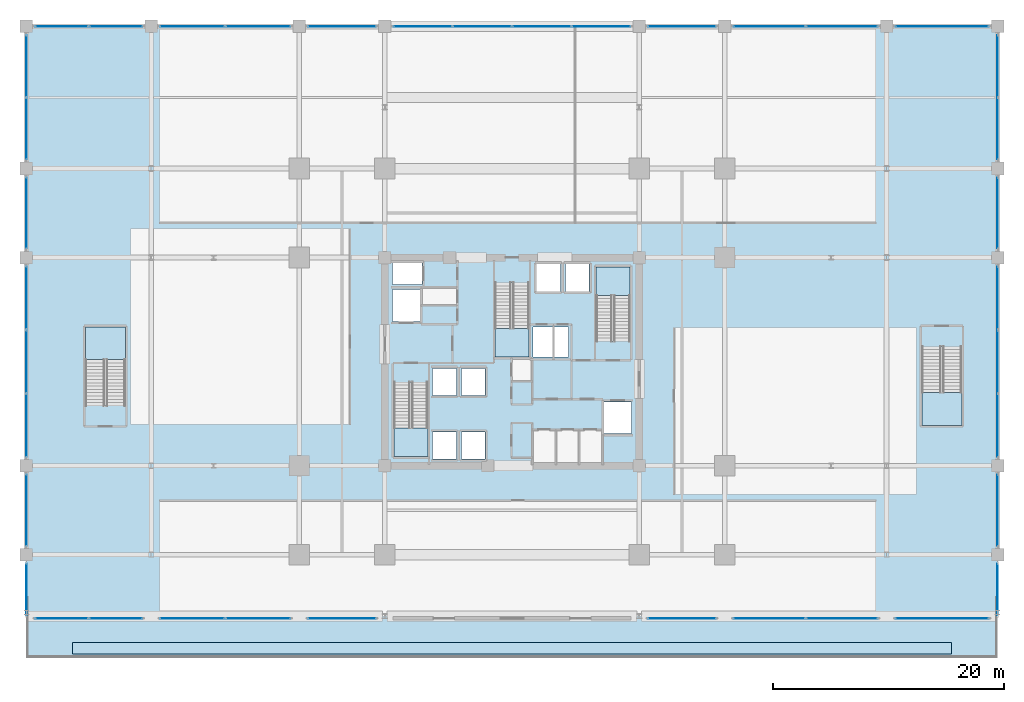
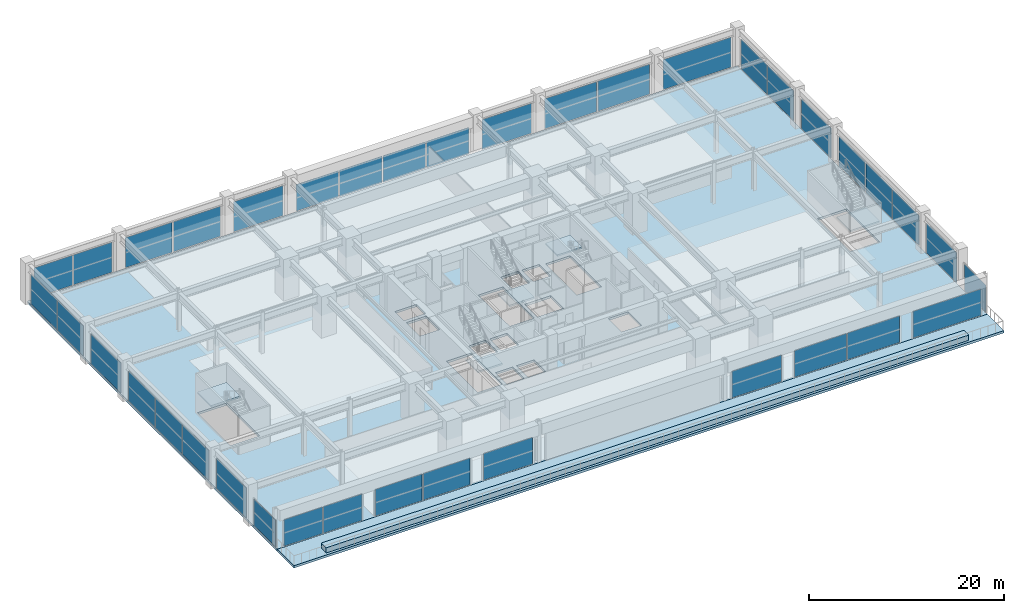
# One storey, part 34 of 43: 38 plates, 8 slabs, 28 elements without a shape of their own.
"""IFC4 building model written with IfcOpenShell, lengths in metres."""

from ifc_helpers import new_model, si_unit, direction, frame, origin, origin_2d, place, context, subcontext, project, spatial, polyline, rectangle, outline, extrude, material, layer, layer_set, type_object, element, aggregate, save


model = new_model("IFC4")

# Units and contexts
model_context = context("Model", 3, precision=1e-05, world=origin(), true_north=direction((0.0, 1.0)))
body_context = subcontext(model_context, "Body", "Model", "MODEL_VIEW")
ifc_project = project(units=[si_unit("LENGTHUNIT", "METRE"), si_unit("AREAUNIT", "SQUARE_METRE"), si_unit("VOLUMEUNIT", "CUBIC_METRE"), si_unit("PLANEANGLEUNIT", "RADIAN"), si_unit("MASSUNIT", "GRAM", prefix="KILO")], contexts=[model_context])

# Site, building, storey
site_placement = place(None, origin())
site = spatial("IfcSite", under=ifc_project, at=site_placement, CompositionType="ELEMENT")
building_placement = place(site_placement, origin())
building = spatial("IfcBuilding", under=site, at=building_placement, Name="Kovane Verandah Tower", CompositionType="ELEMENT")
storey_placement = place(building_placement, frame((0.0, 0.0, 11.199951171875)))
storey = spatial("IfcBuildingStorey", under=building, at=storey_placement, Name="L02", CompositionType="ELEMENT", Elevation=11.199951171875)

# Curtain wall, plates
ifc_material_1 = material(Name="Champagne Anodised Aluminium Frame with Low-E Clear Laminated Glass", Category="aluminium")
curtain_wall_type = type_object("IfcCurtainWallType", Name="CW-SYS-01-POD", PredefinedType="NOTDEFINED", material=ifc_material_1)
curtain_wall_1_placement = place(storey_placement, origin())
curtain_wall_1 = element("IfcCurtainWall", 1, at=curtain_wall_1_placement, inside=storey, type_object=curtain_wall_type, Name="L02 South Podium Curtain Wall Bay 1.1", PredefinedType="NOTDEFINED")
ifc_material_2 = material(Name="Clear Low-E Laminated Double Glazing", Category="glass")
ifc_layer_1 = layer(ifc_material_2, 0.031982421875)
ifc_layer_set_1 = layer_set([ifc_layer_1], Name="Clear Low-E Laminated Double Glazing")
plate_type = type_object("IfcPlateType", Name="PL-CW-VIS-32", PredefinedType="CURTAIN_PANEL", material=ifc_layer_set_1)
plate_1_placement = place(storey_placement, frame((1.06005859375, 5.300048828125, 0.10009765625), z_axis=(0.0, 0.0, 1.0), x_axis=(1.0, 0.0, 0.0)))
plate_1 = element("IfcPlate", 2, at=plate_1_placement, type_object=plate_type, Name="L02 South Podium Curtain Wall Bay 1.1 Full-Height Vision Panel 1", PredefinedType="CURTAIN_PANEL", context=body_context, shape_type="SweptSolid", body=[
    extrude(rectangle(XDim=4.5400390625, YDim=0.031982421875, at=origin_2d()), origin(), (0.0, 0.0, 1.0), 3.330078125),
])
plate_2_placement = place(storey_placement, frame((5.739990234375, 5.300048828125, 0.10009765625), z_axis=(0.0, 0.0, 1.0), x_axis=(1.0, 0.0, 0.0)))
plate_2 = element("IfcPlate", 3, at=plate_2_placement, type_object=plate_type, Name="L02 South Podium Curtain Wall Bay 1.1 Full-Height Vision Panel 2", PredefinedType="CURTAIN_PANEL", context=body_context, shape_type="SweptSolid", body=[
    extrude(rectangle(XDim=4.5400390625, YDim=0.031982421875, at=origin_2d()), origin(), (0.0, 0.0, 1.0), 3.330078125),
])
aggregate(curtain_wall_1, [plate_1, plate_2])

curtain_wall_2_placement = place(storey_placement, origin())
curtain_wall_2 = element("IfcCurtainWall", 4, at=curtain_wall_2_placement, inside=storey, type_object=curtain_wall_type, Name="L02 South Podium Curtain Wall Bay 2.1", PredefinedType="NOTDEFINED")
plate_3_placement = place(storey_placement, frame((12.360107421875, 5.300048828125, 0.10009765625), z_axis=(0.0, 0.0, 1.0), x_axis=(1.0, 0.0, 0.0)))
plate_3 = element("IfcPlate", 5, at=plate_3_placement, type_object=plate_type, Name="L02 South Podium Curtain Wall Bay 2.1 Full-Height Vision Panel 1", PredefinedType="CURTAIN_PANEL", context=body_context, shape_type="SweptSolid", body=[
    extrude(rectangle(XDim=5.5400390625, YDim=0.031982421875, at=origin_2d()), origin(), (0.0, 0.0, 1.0), 3.330078125),
])
plate_4_placement = place(storey_placement, frame((18.0400390625, 5.300048828125, 0.10009765625), z_axis=(0.0, 0.0, 1.0), x_axis=(1.0, 0.0, 0.0)))
plate_4 = element("IfcPlate", 6, at=plate_4_placement, type_object=plate_type, Name="L02 South Podium Curtain Wall Bay 2.1 Full-Height Vision Panel 2", PredefinedType="CURTAIN_PANEL", context=body_context, shape_type="SweptSolid", body=[
    extrude(rectangle(XDim=5.5400390625, YDim=0.031982421875, at=origin_2d()), origin(), (0.0, 0.0, 1.0), 3.330078125),
])
aggregate(curtain_wall_2, [plate_3, plate_4])

# Curtain wall, plate
curtain_wall_3_placement = place(storey_placement, origin())
curtain_wall_3 = element("IfcCurtainWall", 7, at=curtain_wall_3_placement, inside=storey, type_object=curtain_wall_type, Name="L02 South Podium Curtain Wall Bay 3.1", PredefinedType="NOTDEFINED")
plate_5_placement = place(storey_placement, frame((25.300048828125, 5.300048828125, 0.10009765625), z_axis=(0.0, 0.0, 1.0), x_axis=(1.0, 0.0, 0.0)))
plate_5 = element("IfcPlate", 8, at=plate_5_placement, type_object=plate_type, Name="L02 South Podium Curtain Wall Bay 3.1 Full-Height Vision Panel 1", PredefinedType="CURTAIN_PANEL", context=body_context, shape_type="SweptSolid", body=[
    extrude(rectangle(XDim=5.820068359375, YDim=0.031982421875, at=origin_2d()), origin(), (0.0, 0.0, 1.0), 3.330078125),
])
aggregate(curtain_wall_3, [plate_5])

curtain_wall_4_placement = place(storey_placement, origin())
curtain_wall_4 = element("IfcCurtainWall", 9, at=curtain_wall_4_placement, inside=storey, type_object=curtain_wall_type, Name="L02 South Podium Curtain Wall Bay 5.1", PredefinedType="NOTDEFINED")
plate_6_placement = place(storey_placement, frame((54.699951171875, 5.300048828125, 0.10009765625), z_axis=(0.0, 0.0, 1.0), x_axis=(1.0, 0.0, 0.0)))
plate_6 = element("IfcPlate", 10, at=plate_6_placement, type_object=plate_type, Name="L02 South Podium Curtain Wall Bay 5.1 Full-Height Vision Panel 1", PredefinedType="CURTAIN_PANEL", context=body_context, shape_type="SweptSolid", body=[
    extrude(rectangle(XDim=5.820068359375, YDim=0.031982421875, at=origin_2d()), origin(), (0.0, 0.0, 1.0), 3.330078125),
])
aggregate(curtain_wall_4, [plate_6])

# Curtain wall, plates
curtain_wall_5_placement = place(storey_placement, origin())
curtain_wall_5 = element("IfcCurtainWall", 11, at=curtain_wall_5_placement, inside=storey, type_object=curtain_wall_type, Name="L02 South Podium Curtain Wall Bay 6.1", PredefinedType="NOTDEFINED")
plate_7_placement = place(storey_placement, frame((62.260009765625, 5.300048828125, 0.10009765625), z_axis=(0.0, 0.0, 1.0), x_axis=(1.0, 0.0, 0.0)))
plate_7 = element("IfcPlate", 12, at=plate_7_placement, type_object=plate_type, Name="L02 South Podium Curtain Wall Bay 6.1 Full-Height Vision Panel 1", PredefinedType="CURTAIN_PANEL", context=body_context, shape_type="SweptSolid", body=[
    extrude(rectangle(XDim=6.139892578125, YDim=0.031982421875, at=origin_2d()), origin(), (0.0, 0.0, 1.0), 3.330078125),
])
plate_8_placement = place(storey_placement, frame((68.5400390625, 5.300048828125, 0.10009765625), z_axis=(0.0, 0.0, 1.0), x_axis=(1.0, 0.0, 0.0)))
plate_8 = element("IfcPlate", 13, at=plate_8_placement, type_object=plate_type, Name="L02 South Podium Curtain Wall Bay 6.1 Full-Height Vision Panel 2", PredefinedType="CURTAIN_PANEL", context=body_context, shape_type="SweptSolid", body=[
    extrude(rectangle(XDim=6.139892578125, YDim=0.031982421875, at=origin_2d()), origin(), (0.0, 0.0, 1.0), 3.330078125),
])
aggregate(curtain_wall_5, [plate_7, plate_8])

# Curtain wall, plate
curtain_wall_6_placement = place(storey_placement, origin())
curtain_wall_6 = element("IfcCurtainWall", 14, at=curtain_wall_6_placement, inside=storey, type_object=curtain_wall_type, Name="L02 South Podium Curtain Wall Bay 7.1", PredefinedType="NOTDEFINED")
plate_9_placement = place(storey_placement, frame((77.199951171875, 5.300048828125, 0.10009765625), z_axis=(0.0, 0.0, 1.0), x_axis=(1.0, 0.0, 0.0)))
plate_9 = element("IfcPlate", 15, at=plate_9_placement, type_object=plate_type, Name="L02 South Podium Curtain Wall Bay 7.1 Full-Height Vision Panel 1", PredefinedType="CURTAIN_PANEL", context=body_context, shape_type="SweptSolid", body=[
    extrude(rectangle(XDim=8.02001953125, YDim=0.031982421875, at=origin_2d()), origin(), (0.0, 0.0, 1.0), 3.330078125),
])
aggregate(curtain_wall_6, [plate_9])

# Curtain wall, plates
curtain_wall_7_placement = place(storey_placement, origin())
curtain_wall_7 = element("IfcCurtainWall", 16, at=curtain_wall_7_placement, inside=storey, type_object=curtain_wall_type, Name="L02 North Podium Curtain Wall Bay 1", PredefinedType="NOTDEFINED")
plate_10_placement = place(storey_placement, frame((5.739990234375, 56.5, 0.10009765625), z_axis=(0.0, 0.0, 1.0), x_axis=(-1.0, 0.0, 0.0)))
plate_10 = element("IfcPlate", 17, at=plate_10_placement, type_object=plate_type, Name="L02 North Podium Curtain Wall Bay 1 Full-Height Vision Panel 1", PredefinedType="CURTAIN_PANEL", context=body_context, shape_type="SweptSolid", body=[
    extrude(rectangle(XDim=4.5400390625, YDim=0.031982421875, at=origin_2d()), origin(), (0.0, 0.0, 1.0), 3.759033203125),
])
plate_11_placement = place(storey_placement, frame((1.06005859375, 56.5, 0.10009765625), z_axis=(0.0, 0.0, 1.0), x_axis=(-1.0, 0.0, 0.0)))
plate_11 = element("IfcPlate", 18, at=plate_11_placement, type_object=plate_type, Name="L02 North Podium Curtain Wall Bay 1 Full-Height Vision Panel 2", PredefinedType="CURTAIN_PANEL", context=body_context, shape_type="SweptSolid", body=[
    extrude(rectangle(XDim=4.5400390625, YDim=0.031982421875, at=origin_2d()), origin(), (0.0, 0.0, 1.0), 3.759033203125),
])
aggregate(curtain_wall_7, [plate_10, plate_11])

curtain_wall_8_placement = place(storey_placement, origin())
curtain_wall_8 = element("IfcCurtainWall", 19, at=curtain_wall_8_placement, inside=storey, type_object=curtain_wall_type, Name="L02 North Podium Curtain Wall Bay 2", PredefinedType="NOTDEFINED")
plate_12_placement = place(storey_placement, frame((18.0400390625, 56.5, 0.10009765625), z_axis=(0.0, 0.0, 1.0), x_axis=(-1.0, 0.0, 0.0)))
plate_12 = element("IfcPlate", 20, at=plate_12_placement, type_object=plate_type, Name="L02 North Podium Curtain Wall Bay 2 Full-Height Vision Panel 1", PredefinedType="CURTAIN_PANEL", context=body_context, shape_type="SweptSolid", body=[
    extrude(rectangle(XDim=5.5400390625, YDim=0.031982421875, at=origin_2d()), origin(), (0.0, 0.0, 1.0), 3.759033203125),
])
plate_13_placement = place(storey_placement, frame((12.360107421875, 56.5, 0.10009765625), z_axis=(0.0, 0.0, 1.0), x_axis=(-1.0, 0.0, 0.0)))
plate_13 = element("IfcPlate", 21, at=plate_13_placement, type_object=plate_type, Name="L02 North Podium Curtain Wall Bay 2 Full-Height Vision Panel 2", PredefinedType="CURTAIN_PANEL", context=body_context, shape_type="SweptSolid", body=[
    extrude(rectangle(XDim=5.5400390625, YDim=0.031982421875, at=origin_2d()), origin(), (0.0, 0.0, 1.0), 3.759033203125),
])
aggregate(curtain_wall_8, [plate_12, plate_13])

# Curtain wall, plate
curtain_wall_9_placement = place(storey_placement, origin())
curtain_wall_9 = element("IfcCurtainWall", 22, at=curtain_wall_9_placement, inside=storey, type_object=curtain_wall_type, Name="L02 North Podium Curtain Wall Bay 3", PredefinedType="NOTDEFINED")
plate_14_placement = place(storey_placement, frame((25.300048828125, 56.5, 0.10009765625), z_axis=(0.0, 0.0, 1.0), x_axis=(-1.0, 0.0, 0.0)))
plate_14 = element("IfcPlate", 23, at=plate_14_placement, type_object=plate_type, Name="L02 North Podium Curtain Wall Bay 3 Full-Height Vision Panel 1", PredefinedType="CURTAIN_PANEL", context=body_context, shape_type="SweptSolid", body=[
    extrude(rectangle(XDim=5.820068359375, YDim=0.031982421875, at=origin_2d()), origin(), (0.0, 0.0, 1.0), 3.759033203125),
])
aggregate(curtain_wall_9, [plate_14])

# Curtain wall, plates
curtain_wall_10_placement = place(storey_placement, origin())
curtain_wall_10 = element("IfcCurtainWall", 24, at=curtain_wall_10_placement, inside=storey, type_object=curtain_wall_type, Name="L02 North Podium Curtain Wall Bay 4", PredefinedType="NOTDEFINED")
plate_15_placement = place(storey_placement, frame((47.7099609375, 56.5, 0.10009765625), z_axis=(0.0, 0.0, 1.0), x_axis=(-1.0, 0.0, 0.0)))
plate_15 = element("IfcPlate", 25, at=plate_15_placement, type_object=plate_type, Name="L02 North Podium Curtain Wall Bay 4 Full-Height Vision Panel 1", PredefinedType="CURTAIN_PANEL", context=body_context, shape_type="SweptSolid", body=[
    extrude(rectangle(XDim=5.0, YDim=0.031982421875, at=origin_2d()), origin(), (0.0, 0.0, 1.0), 3.330078125),
])
plate_16_placement = place(storey_placement, frame((42.570068359375, 56.5, 0.10009765625), z_axis=(0.0, 0.0, 1.0), x_axis=(-1.0, 0.0, 0.0)))
plate_16 = element("IfcPlate", 26, at=plate_16_placement, type_object=plate_type, Name="L02 North Podium Curtain Wall Bay 4 Full-Height Vision Panel 2", PredefinedType="CURTAIN_PANEL", context=body_context, shape_type="SweptSolid", body=[
    extrude(rectangle(XDim=5.0, YDim=0.031982421875, at=origin_2d()), origin(), (0.0, 0.0, 1.0), 3.330078125),
])
plate_17_placement = place(storey_placement, frame((37.429931640625, 56.5, 0.10009765625), z_axis=(0.0, 0.0, 1.0), x_axis=(-1.0, 0.0, 0.0)))
plate_17 = element("IfcPlate", 27, at=plate_17_placement, type_object=plate_type, Name="L02 North Podium Curtain Wall Bay 4 Full-Height Vision Panel 3", PredefinedType="CURTAIN_PANEL", context=body_context, shape_type="SweptSolid", body=[
    extrude(rectangle(XDim=5.0, YDim=0.031982421875, at=origin_2d()), origin(), (0.0, 0.0, 1.0), 3.330078125),
])
plate_18_placement = place(storey_placement, frame((32.2900390625, 56.5, 0.10009765625), z_axis=(0.0, 0.0, 1.0), x_axis=(-1.0, 0.0, 0.0)))
plate_18 = element("IfcPlate", 28, at=plate_18_placement, type_object=plate_type, Name="L02 North Podium Curtain Wall Bay 4 Full-Height Vision Panel 4", PredefinedType="CURTAIN_PANEL", context=body_context, shape_type="SweptSolid", body=[
    extrude(rectangle(XDim=5.0, YDim=0.031982421875, at=origin_2d()), origin(), (0.0, 0.0, 1.0), 3.330078125),
])
aggregate(curtain_wall_10, [plate_15, plate_16, plate_17, plate_18])

# Curtain wall, plate
curtain_wall_11_placement = place(storey_placement, origin())
curtain_wall_11 = element("IfcCurtainWall", 29, at=curtain_wall_11_placement, inside=storey, type_object=curtain_wall_type, Name="L02 North Podium Curtain Wall Bay 5", PredefinedType="NOTDEFINED")
plate_19_placement = place(storey_placement, frame((54.699951171875, 56.5, 0.10009765625), z_axis=(0.0, 0.0, 1.0), x_axis=(-1.0, 0.0, 0.0)))
plate_19 = element("IfcPlate", 30, at=plate_19_placement, type_object=plate_type, Name="L02 North Podium Curtain Wall Bay 5 Full-Height Vision Panel 1", PredefinedType="CURTAIN_PANEL", context=body_context, shape_type="SweptSolid", body=[
    extrude(rectangle(XDim=5.820068359375, YDim=0.031982421875, at=origin_2d()), origin(), (0.0, 0.0, 1.0), 3.759033203125),
])
aggregate(curtain_wall_11, [plate_19])

# Curtain wall, plates
curtain_wall_12_placement = place(storey_placement, origin())
curtain_wall_12 = element("IfcCurtainWall", 31, at=curtain_wall_12_placement, inside=storey, type_object=curtain_wall_type, Name="L02 North Podium Curtain Wall Bay 6", PredefinedType="NOTDEFINED")
plate_20_placement = place(storey_placement, frame((68.5400390625, 56.5, 0.10009765625), z_axis=(0.0, 0.0, 1.0), x_axis=(-1.0, 0.0, 0.0)))
plate_20 = element("IfcPlate", 32, at=plate_20_placement, type_object=plate_type, Name="L02 North Podium Curtain Wall Bay 6 Full-Height Vision Panel 1", PredefinedType="CURTAIN_PANEL", context=body_context, shape_type="SweptSolid", body=[
    extrude(rectangle(XDim=6.139892578125, YDim=0.031982421875, at=origin_2d()), origin(), (0.0, 0.0, 1.0), 3.759033203125),
])
plate_21_placement = place(storey_placement, frame((62.260009765625, 56.5, 0.10009765625), z_axis=(0.0, 0.0, 1.0), x_axis=(-1.0, 0.0, 0.0)))
plate_21 = element("IfcPlate", 33, at=plate_21_placement, type_object=plate_type, Name="L02 North Podium Curtain Wall Bay 6 Full-Height Vision Panel 2", PredefinedType="CURTAIN_PANEL", context=body_context, shape_type="SweptSolid", body=[
    extrude(rectangle(XDim=6.139892578125, YDim=0.031982421875, at=origin_2d()), origin(), (0.0, 0.0, 1.0), 3.759033203125),
])
aggregate(curtain_wall_12, [plate_20, plate_21])

# Curtain wall, plate
curtain_wall_13_placement = place(storey_placement, origin())
curtain_wall_13 = element("IfcCurtainWall", 34, at=curtain_wall_13_placement, inside=storey, type_object=curtain_wall_type, Name="L02 North Podium Curtain Wall Bay 7", PredefinedType="NOTDEFINED")
plate_22_placement = place(storey_placement, frame((77.199951171875, 56.5, 0.10009765625), z_axis=(0.0, 0.0, 1.0), x_axis=(-1.0, 0.0, 0.0)))
plate_22 = element("IfcPlate", 35, at=plate_22_placement, type_object=plate_type, Name="L02 North Podium Curtain Wall Bay 7 Full-Height Vision Panel 1", PredefinedType="CURTAIN_PANEL", context=body_context, shape_type="SweptSolid", body=[
    extrude(rectangle(XDim=8.02001953125, YDim=0.031982421875, at=origin_2d()), origin(), (0.0, 0.0, 1.0), 3.759033203125),
])
aggregate(curtain_wall_13, [plate_22])

curtain_wall_14_placement = place(storey_placement, origin())
curtain_wall_14 = element("IfcCurtainWall", 36, at=curtain_wall_14_placement, inside=storey, type_object=curtain_wall_type, Name="L02 West Podium Curtain Wall Bay 1", PredefinedType="NOTDEFINED")
plate_23_placement = place(storey_placement, frame((-2.0, 7.800048828125, 0.10009765625), z_axis=(0.0, 0.0, 1.0), x_axis=(0.0, -1.0, 0.0)))
plate_23 = element("IfcPlate", 37, at=plate_23_placement, type_object=plate_type, Name="L02 West Podium Curtain Wall Bay 1 Full-Height Vision Panel 1", PredefinedType="CURTAIN_PANEL", context=body_context, shape_type="SweptSolid", body=[
    extrude(rectangle(XDim=4.419921875, YDim=0.031982421875, at=origin_2d()), origin(), (0.0, 0.0, 1.0), 3.330078125),
])
aggregate(curtain_wall_14, [plate_23])

curtain_wall_15_placement = place(storey_placement, origin())
curtain_wall_15 = element("IfcCurtainWall", 38, at=curtain_wall_15_placement, inside=storey, type_object=curtain_wall_type, Name="L02 East Podium Curtain Wall Bay 1", PredefinedType="NOTDEFINED")
plate_24_placement = place(storey_placement, frame((82.0, 7.800048828125, 0.10009765625), z_axis=(0.0, 0.0, 1.0), x_axis=(0.0, 1.0, 0.0)))
plate_24 = element("IfcPlate", 39, at=plate_24_placement, type_object=plate_type, Name="L02 East Podium Curtain Wall Bay 1 Full-Height Vision Panel 1", PredefinedType="CURTAIN_PANEL", context=body_context, shape_type="SweptSolid", body=[
    extrude(rectangle(XDim=4.419921875, YDim=0.031982421875, at=origin_2d()), origin(), (0.0, 0.0, 1.0), 3.330078125),
])
aggregate(curtain_wall_15, [plate_24])

curtain_wall_16_placement = place(storey_placement, origin())
curtain_wall_16 = element("IfcCurtainWall", 40, at=curtain_wall_16_placement, inside=storey, type_object=curtain_wall_type, Name="L02 West Podium Curtain Wall Bay 2", PredefinedType="NOTDEFINED")
plate_25_placement = place(storey_placement, frame((-2.0, 14.64990234375, 0.10009765625), z_axis=(0.0, 0.0, 1.0), x_axis=(0.0, -1.0, 0.0)))
plate_25 = element("IfcPlate", 41, at=plate_25_placement, type_object=plate_type, Name="L02 West Podium Curtain Wall Bay 2 Full-Height Vision Panel 1", PredefinedType="CURTAIN_PANEL", context=body_context, shape_type="SweptSolid", body=[
    extrude(rectangle(XDim=6.1201171875, YDim=0.031982421875, at=origin_2d()), origin(), (0.0, 0.0, 1.0), 3.759033203125),
])
aggregate(curtain_wall_16, [plate_25])

curtain_wall_17_placement = place(storey_placement, origin())
curtain_wall_17 = element("IfcCurtainWall", 42, at=curtain_wall_17_placement, inside=storey, type_object=curtain_wall_type, Name="L02 East Podium Curtain Wall Bay 2", PredefinedType="NOTDEFINED")
plate_26_placement = place(storey_placement, frame((82.0, 14.64990234375, 0.10009765625), z_axis=(0.0, 0.0, 1.0), x_axis=(0.0, 1.0, 0.0)))
plate_26 = element("IfcPlate", 43, at=plate_26_placement, type_object=plate_type, Name="L02 East Podium Curtain Wall Bay 2 Full-Height Vision Panel 1", PredefinedType="CURTAIN_PANEL", context=body_context, shape_type="SweptSolid", body=[
    extrude(rectangle(XDim=6.1201171875, YDim=0.031982421875, at=origin_2d()), origin(), (0.0, 0.0, 1.0), 3.759033203125),
])
aggregate(curtain_wall_17, [plate_26])

# Curtain wall, plates
curtain_wall_18_placement = place(storey_placement, origin())
curtain_wall_18 = element("IfcCurtainWall", 44, at=curtain_wall_18_placement, inside=storey, type_object=curtain_wall_type, Name="L02 West Podium Curtain Wall Bay 3", PredefinedType="NOTDEFINED")
plate_27_placement = place(storey_placement, frame((-2.0, 33.02001953125, 0.10009765625), z_axis=(0.0, 0.0, 1.0), x_axis=(0.0, -1.0, 0.0)))
plate_27 = element("IfcPlate", 45, at=plate_27_placement, type_object=plate_type, Name="L02 West Podium Curtain Wall Bay 3 Full-Height Vision Panel 1", PredefinedType="CURTAIN_PANEL", context=body_context, shape_type="SweptSolid", body=[
    extrude(rectangle(XDim=5.3798828125, YDim=0.031982421875, at=origin_2d()), origin(), (0.0, 0.0, 1.0), 3.759033203125),
])
plate_28_placement = place(storey_placement, frame((-2.0, 27.5, 0.10009765625), z_axis=(0.0, 0.0, 1.0), x_axis=(0.0, -1.0, 0.0)))
plate_28 = element("IfcPlate", 46, at=plate_28_placement, type_object=plate_type, Name="L02 West Podium Curtain Wall Bay 3 Full-Height Vision Panel 2", PredefinedType="CURTAIN_PANEL", context=body_context, shape_type="SweptSolid", body=[
    extrude(rectangle(XDim=5.3798828125, YDim=0.031982421875, at=origin_2d()), origin(), (0.0, 0.0, 1.0), 3.759033203125),
])
plate_29_placement = place(storey_placement, frame((-2.0, 21.97998046875, 0.10009765625), z_axis=(0.0, 0.0, 1.0), x_axis=(0.0, -1.0, 0.0)))
plate_29 = element("IfcPlate", 47, at=plate_29_placement, type_object=plate_type, Name="L02 West Podium Curtain Wall Bay 3 Full-Height Vision Panel 3", PredefinedType="CURTAIN_PANEL", context=body_context, shape_type="SweptSolid", body=[
    extrude(rectangle(XDim=5.3798828125, YDim=0.031982421875, at=origin_2d()), origin(), (0.0, 0.0, 1.0), 3.759033203125),
])
aggregate(curtain_wall_18, [plate_27, plate_28, plate_29])

curtain_wall_19_placement = place(storey_placement, origin())
curtain_wall_19 = element("IfcCurtainWall", 48, at=curtain_wall_19_placement, inside=storey, type_object=curtain_wall_type, Name="L02 East Podium Curtain Wall Bay 3", PredefinedType="NOTDEFINED")
plate_30_placement = place(storey_placement, frame((82.0, 21.97998046875, 0.10009765625), z_axis=(0.0, 0.0, 1.0), x_axis=(0.0, 1.0, 0.0)))
plate_30 = element("IfcPlate", 49, at=plate_30_placement, type_object=plate_type, Name="L02 East Podium Curtain Wall Bay 3 Full-Height Vision Panel 1", PredefinedType="CURTAIN_PANEL", context=body_context, shape_type="SweptSolid", body=[
    extrude(rectangle(XDim=5.3798828125, YDim=0.031982421875, at=origin_2d()), origin(), (0.0, 0.0, 1.0), 3.759033203125),
])
plate_31_placement = place(storey_placement, frame((82.0, 27.5, 0.10009765625), z_axis=(0.0, 0.0, 1.0), x_axis=(0.0, 1.0, 0.0)))
plate_31 = element("IfcPlate", 50, at=plate_31_placement, type_object=plate_type, Name="L02 East Podium Curtain Wall Bay 3 Full-Height Vision Panel 2", PredefinedType="CURTAIN_PANEL", context=body_context, shape_type="SweptSolid", body=[
    extrude(rectangle(XDim=5.3798828125, YDim=0.031982421875, at=origin_2d()), origin(), (0.0, 0.0, 1.0), 3.759033203125),
])
plate_32_placement = place(storey_placement, frame((82.0, 33.02001953125, 0.10009765625), z_axis=(0.0, 0.0, 1.0), x_axis=(0.0, 1.0, 0.0)))
plate_32 = element("IfcPlate", 51, at=plate_32_placement, type_object=plate_type, Name="L02 East Podium Curtain Wall Bay 3 Full-Height Vision Panel 3", PredefinedType="CURTAIN_PANEL", context=body_context, shape_type="SweptSolid", body=[
    extrude(rectangle(XDim=5.3798828125, YDim=0.031982421875, at=origin_2d()), origin(), (0.0, 0.0, 1.0), 3.759033203125),
])
aggregate(curtain_wall_19, [plate_30, plate_31, plate_32])

# Curtain wall, plate
curtain_wall_20_placement = place(storey_placement, origin())
curtain_wall_20 = element("IfcCurtainWall", 52, at=curtain_wall_20_placement, inside=storey, type_object=curtain_wall_type, Name="L02 West Podium Curtain Wall Bay 4", PredefinedType="NOTDEFINED")
plate_33_placement = place(storey_placement, frame((-2.0, 40.35009765625, 0.10009765625), z_axis=(0.0, 0.0, 1.0), x_axis=(0.0, -1.0, 0.0)))
plate_33 = element("IfcPlate", 53, at=plate_33_placement, type_object=plate_type, Name="L02 West Podium Curtain Wall Bay 4 Full-Height Vision Panel 1", PredefinedType="CURTAIN_PANEL", context=body_context, shape_type="SweptSolid", body=[
    extrude(rectangle(XDim=6.1201171875, YDim=0.031982421875, at=origin_2d()), origin(), (0.0, 0.0, 1.0), 3.759033203125),
])
aggregate(curtain_wall_20, [plate_33])

curtain_wall_21_placement = place(storey_placement, origin())
curtain_wall_21 = element("IfcCurtainWall", 54, at=curtain_wall_21_placement, inside=storey, type_object=curtain_wall_type, Name="L02 East Podium Curtain Wall Bay 4", PredefinedType="NOTDEFINED")
plate_34_placement = place(storey_placement, frame((82.0, 40.35009765625, 0.10009765625), z_axis=(0.0, 0.0, 1.0), x_axis=(0.0, 1.0, 0.0)))
plate_34 = element("IfcPlate", 55, at=plate_34_placement, type_object=plate_type, Name="L02 East Podium Curtain Wall Bay 4 Full-Height Vision Panel 1", PredefinedType="CURTAIN_PANEL", context=body_context, shape_type="SweptSolid", body=[
    extrude(rectangle(XDim=6.1201171875, YDim=0.031982421875, at=origin_2d()), origin(), (0.0, 0.0, 1.0), 3.759033203125),
])
aggregate(curtain_wall_21, [plate_34])

# Curtain wall, plates
curtain_wall_22_placement = place(storey_placement, origin())
curtain_wall_22 = element("IfcCurtainWall", 56, at=curtain_wall_22_placement, inside=storey, type_object=curtain_wall_type, Name="L02 West Podium Curtain Wall Bay 5", PredefinedType="NOTDEFINED")
plate_35_placement = place(storey_placement, frame((-2.0, 53.06494140625, 0.10009765625), z_axis=(0.0, 0.0, 1.0), x_axis=(0.0, -1.0, 0.0)))
plate_35 = element("IfcPlate", 57, at=plate_35_placement, type_object=plate_type, Name="L02 West Podium Curtain Wall Bay 5 Full-Height Vision Panel 1", PredefinedType="CURTAIN_PANEL", context=body_context, shape_type="SweptSolid", body=[
    extrude(rectangle(XDim=5.2900390625, YDim=0.031982421875, at=origin_2d()), origin(), (0.0, 0.0, 1.0), 3.759033203125),
])
plate_36_placement = place(storey_placement, frame((-2.0, 47.635009765625, 0.10009765625), z_axis=(0.0, 0.0, 1.0), x_axis=(0.0, -1.0, 0.0)))
plate_36 = element("IfcPlate", 58, at=plate_36_placement, type_object=plate_type, Name="L02 West Podium Curtain Wall Bay 5 Full-Height Vision Panel 2", PredefinedType="CURTAIN_PANEL", context=body_context, shape_type="SweptSolid", body=[
    extrude(rectangle(XDim=5.2900390625, YDim=0.031982421875, at=origin_2d()), origin(), (0.0, 0.0, 1.0), 3.759033203125),
])
aggregate(curtain_wall_22, [plate_35, plate_36])

curtain_wall_23_placement = place(storey_placement, origin())
curtain_wall_23 = element("IfcCurtainWall", 59, at=curtain_wall_23_placement, inside=storey, type_object=curtain_wall_type, Name="L02 East Podium Curtain Wall Bay 5", PredefinedType="NOTDEFINED")
plate_37_placement = place(storey_placement, frame((82.0, 47.635009765625, 0.10009765625), z_axis=(0.0, 0.0, 1.0), x_axis=(0.0, 1.0, 0.0)))
plate_37 = element("IfcPlate", 60, at=plate_37_placement, type_object=plate_type, Name="L02 East Podium Curtain Wall Bay 5 Full-Height Vision Panel 1", PredefinedType="CURTAIN_PANEL", context=body_context, shape_type="SweptSolid", body=[
    extrude(rectangle(XDim=5.2900390625, YDim=0.031982421875, at=origin_2d()), origin(), (0.0, 0.0, 1.0), 3.759033203125),
])
plate_38_placement = place(storey_placement, frame((82.0, 53.06494140625, 0.10009765625), z_axis=(0.0, 0.0, 1.0), x_axis=(0.0, 1.0, 0.0)))
plate_38 = element("IfcPlate", 61, at=plate_38_placement, type_object=plate_type, Name="L02 East Podium Curtain Wall Bay 5 Full-Height Vision Panel 2", PredefinedType="CURTAIN_PANEL", context=body_context, shape_type="SweptSolid", body=[
    extrude(rectangle(XDim=5.2900390625, YDim=0.031982421875, at=origin_2d()), origin(), (0.0, 0.0, 1.0), 3.759033203125),
])
aggregate(curtain_wall_23, [plate_37, plate_38])

# Slab
ifc_material_3 = material(Name="Concrete C45/55", Category="concrete")
ifc_layer_2 = layer(ifc_material_3, 0.300048828125)
ifc_layer_set_2 = layer_set([ifc_layer_2], Name="Concrete C45/55")
slab_type_1 = type_object("IfcSlabType", Name="SL-GDN-300", PredefinedType="ROOF", material=ifc_layer_set_2)
slab_1_placement = place(storey_placement, frame((0.0, 0.0, -0.300048828125)))
element("IfcSlab", 62, at=slab_1_placement, inside=storey, type_object=slab_type_1, Name="L02 Cascading Garden Step Terrace", PredefinedType="ROOF", context=body_context, shape_type="SweptSolid", body=[
    extrude(outline(polyline([(-2.0, 1.89990234375), (82.0, 1.89990234375), (82.0, 5.300048828125), (-2.0, 5.300048828125), (-2.0, 1.89990234375)])), origin(), (0.0, 0.0, 1.0), 0.300048828125),
])

# Stair, slab
stair_type = type_object("IfcStairType", Name="ST-CORE-1380", PredefinedType="HALF_TURN_STAIR", material=ifc_material_3)
stair_1_placement = place(storey_placement, origin())
stair_1 = element("IfcStair", 63, at=stair_1_placement, inside=storey, type_object=stair_type, Name="L02 Exit Stair ST-01", PredefinedType="HALF_TURN_STAIR")
ifc_layer_3 = layer(ifc_material_3, 0.199951171875)
ifc_layer_set_3 = layer_set([ifc_layer_3], Name="Concrete C45/55")
slab_type_2 = type_object("IfcSlabType", Name="SL-LAND-200", PredefinedType="LANDING", material=ifc_layer_set_3)
slab_2_placement = place(storey_placement, frame((0.0, 0.0, 2.400146484375)))
slab_2 = element("IfcSlab", 64, at=slab_2_placement, type_object=slab_type_2, Name="ST-01 landing 1", PredefinedType="LANDING", context=body_context, shape_type="SweptSolid", body=[
    extrude(outline(polyline([(29.800048828125, 21.760009765625), (29.800048828125, 19.300048828125), (32.719970703125, 19.300048828125), (32.719970703125, 21.760009765625), (29.800048828125, 21.760009765625)])), origin(), (0.0, 0.0, 1.0), 0.199951171875),
])
aggregate(stair_1, [slab_2])

stair_2_placement = place(storey_placement, origin())
stair_2 = element("IfcStair", 65, at=stair_2_placement, inside=storey, type_object=stair_type, Name="L02 Exit Stair ST-02", PredefinedType="HALF_TURN_STAIR")
slab_3_placement = place(storey_placement, frame((0.0, 0.0, 2.400146484375)))
slab_3 = element("IfcSlab", 66, at=slab_3_placement, type_object=slab_type_2, Name="ST-02 landing 1", PredefinedType="LANDING", context=body_context, shape_type="SweptSolid", body=[
    extrude(outline(polyline([(50.199951171875, 33.239990234375), (50.199951171875, 35.699951171875), (47.280029296875, 35.699951171875), (47.280029296875, 33.239990234375), (50.199951171875, 33.239990234375)])), origin(), (0.0, 0.0, 1.0), 0.199951171875),
])
aggregate(stair_2, [slab_3])

stair_3_placement = place(storey_placement, origin())
stair_3 = element("IfcStair", 67, at=stair_3_placement, inside=storey, type_object=stair_type, Name="L02 Exit Stair ST-03", PredefinedType="HALF_TURN_STAIR")
slab_4_placement = place(storey_placement, frame((0.0, 0.0, 2.400146484375)))
slab_4 = element("IfcSlab", 68, at=slab_4_placement, type_object=slab_type_2, Name="ST-03 landing 1", PredefinedType="LANDING", context=body_context, shape_type="SweptSolid", body=[
    extrude(outline(polyline([(38.5400390625, 30.360107421875), (38.5400390625, 27.89990234375), (41.4599609375, 27.89990234375), (41.4599609375, 30.360107421875), (38.5400390625, 30.360107421875)])), origin(), (0.0, 0.0, 1.0), 0.199951171875),
])
aggregate(stair_3, [slab_4])

stair_4_placement = place(storey_placement, origin())
stair_4 = element("IfcStair", 69, at=stair_4_placement, inside=storey, type_object=stair_type, Name="L02 Exit Stair ST-04", PredefinedType="HALF_TURN_STAIR")
slab_5_placement = place(storey_placement, frame((0.0, 0.0, 2.400146484375)))
slab_5 = element("IfcSlab", 70, at=slab_5_placement, type_object=slab_type_2, Name="ST-04 landing 1", PredefinedType="LANDING", context=body_context, shape_type="SweptSolid", body=[
    extrude(outline(polyline([(6.56005859375, 27.669921875), (6.56005859375, 30.5), (3.10009765625, 30.5), (3.10009765625, 27.669921875), (6.56005859375, 27.669921875)])), origin(), (0.0, 0.0, 1.0), 0.199951171875),
])
aggregate(stair_4, [slab_5])

stair_5_placement = place(storey_placement, origin())
stair_5 = element("IfcStair", 71, at=stair_5_placement, inside=storey, type_object=stair_type, Name="L02 Exit Stair ST-05", PredefinedType="HALF_TURN_STAIR")
slab_6_placement = place(storey_placement, frame((0.0, 0.0, 2.400146484375)))
slab_6 = element("IfcSlab", 72, at=slab_6_placement, type_object=slab_type_2, Name="ST-05 landing 1", PredefinedType="LANDING", context=body_context, shape_type="SweptSolid", body=[
    extrude(outline(polyline([(75.43994140625, 24.830078125), (75.43994140625, 22.0), (78.89990234375, 22.0), (78.89990234375, 24.830078125), (75.43994140625, 24.830078125)])), origin(), (0.0, 0.0, 1.0), 0.199951171875),
])
aggregate(stair_5, [slab_6])

# Slabs
ifc_material_4 = material(Name="Architectural Precast Concrete C45/55 Planter Trough", Category="concrete")
ifc_layer_4 = layer(ifc_material_4, 0.219970703125)
ifc_layer_set_4 = layer_set([ifc_layer_4], Name="Architectural Precast Concrete C45/55 Planter Trough")
slab_type_3 = type_object("IfcSlabType", Name="SL-PLANTER-220", PredefinedType="USERDEFINED", material=ifc_layer_set_4)
slab_7_placement = place(storey_placement, origin())
element("IfcSlab", 73, at=slab_7_placement, inside=storey, type_object=slab_type_3, Name="L02 Cascading Terrace Subtropical Planter", ObjectType="PLANTER", PredefinedType="USERDEFINED", context=body_context, shape_type="SweptSolid", body=[
    extrude(outline(polyline([(2.0, 2.199951171875), (78.0, 2.199951171875), (78.0, 3.199951171875), (2.0, 3.199951171875), (2.0, 2.199951171875)])), origin(), (0.0, 0.0, 1.0), 0.650146484375),
])
ifc_layer_5 = layer(ifc_material_3, 0.280029296875)
ifc_layer_set_5 = layer_set([ifc_layer_5], Name="Concrete C45/55")
slab_type_4 = type_object("IfcSlabType", Name="SL-POD-280", PredefinedType="FLOOR", material=ifc_layer_set_5)
slab_8_placement = place(storey_placement, frame((0.0, 0.0, -0.280029296875)))
element("IfcSlab", 74, at=slab_8_placement, inside=storey, type_object=slab_type_4, Name="L02 Structural Floor Slab", PredefinedType="FLOOR", context=body_context, shape_type="SweptSolid", body=[
    extrude(outline(polyline([(-2.0, 5.300048828125), (82.0, 5.300048828125), (82.0, 56.5), (-2.0, 56.5), (-2.0, 5.300048828125)]), holes=[polyline([(29.800048828125, 19.300048828125), (32.719970703125, 19.300048828125), (32.719970703125, 25.705078125), (29.800048828125, 25.705078125), (29.800048828125, 19.300048828125)]), polyline([(47.280029296875, 29.294921875), (50.199951171875, 29.294921875), (50.199951171875, 35.699951171875), (47.280029296875, 35.699951171875), (47.280029296875, 29.294921875)]), polyline([(38.5400390625, 27.89990234375), (41.4599609375, 27.89990234375), (41.4599609375, 34.304931640625), (38.5400390625, 34.304931640625), (38.5400390625, 27.89990234375)]), polyline([(3.10009765625, 23.72509765625), (6.56005859375, 23.72509765625), (6.56005859375, 30.5), (3.10009765625, 30.5), (3.10009765625, 23.72509765625)]), polyline([(75.43994140625, 22.0), (78.89990234375, 22.0), (78.89990234375, 28.77490234375), (75.43994140625, 28.77490234375), (75.43994140625, 22.0)]), polyline([(29.669921875, 30.969970703125), (32.030029296875, 30.969970703125), (32.030029296875, 33.72998046875), (29.669921875, 33.72998046875), (29.669921875, 30.969970703125)]), polyline([(47.969970703125, 21.27001953125), (50.330078125, 21.27001953125), (50.330078125, 24.030029296875), (47.969970703125, 24.030029296875), (47.969970703125, 21.27001953125)]), polyline([(29.669921875, 34.169921875), (32.22998046875, 34.169921875), (32.22998046875, 36.030029296875), (29.669921875, 36.030029296875), (29.669921875, 34.169921875)]), polyline([(33.1201171875, 19.070068359375), (35.179931640625, 19.070068359375), (35.179931640625, 21.429931640625), (33.1201171875, 21.429931640625), (33.1201171875, 19.070068359375)]), polyline([(35.6201171875, 19.070068359375), (37.679931640625, 19.070068359375), (37.679931640625, 21.429931640625), (35.6201171875, 21.429931640625), (35.6201171875, 19.070068359375)]), polyline([(33.1201171875, 24.570068359375), (35.179931640625, 24.570068359375), (35.179931640625, 26.929931640625), (33.1201171875, 26.929931640625), (33.1201171875, 24.570068359375)]), polyline([(35.6201171875, 24.570068359375), (37.679931640625, 24.570068359375), (37.679931640625, 26.929931640625), (35.6201171875, 26.929931640625), (35.6201171875, 24.570068359375)]), polyline([(42.1201171875, 33.570068359375), (44.179931640625, 33.570068359375), (44.179931640625, 35.929931640625), (42.1201171875, 35.929931640625), (42.1201171875, 33.570068359375)]), polyline([(44.6201171875, 33.570068359375), (46.679931640625, 33.570068359375), (46.679931640625, 35.929931640625), (44.6201171875, 35.929931640625), (44.6201171875, 33.570068359375)]), polyline([(41.800048828125, 27.89990234375), (44.89990234375, 27.89990234375), (44.89990234375, 30.5), (41.800048828125, 30.5), (41.800048828125, 27.89990234375)])]), origin(), (0.0, 0.0, 1.0), 0.280029296875),
])

save(model, "model.ifc")
